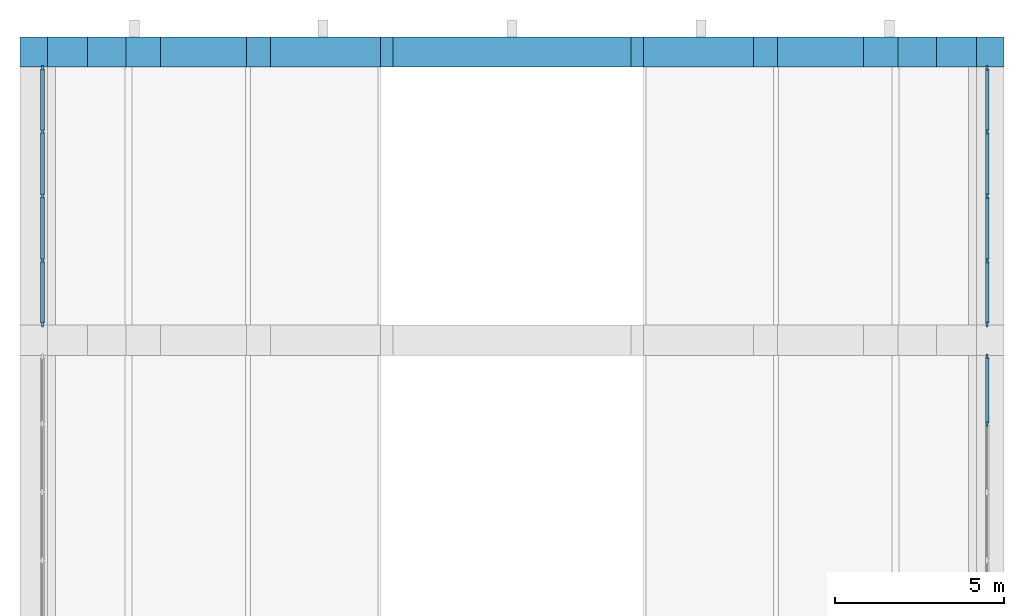
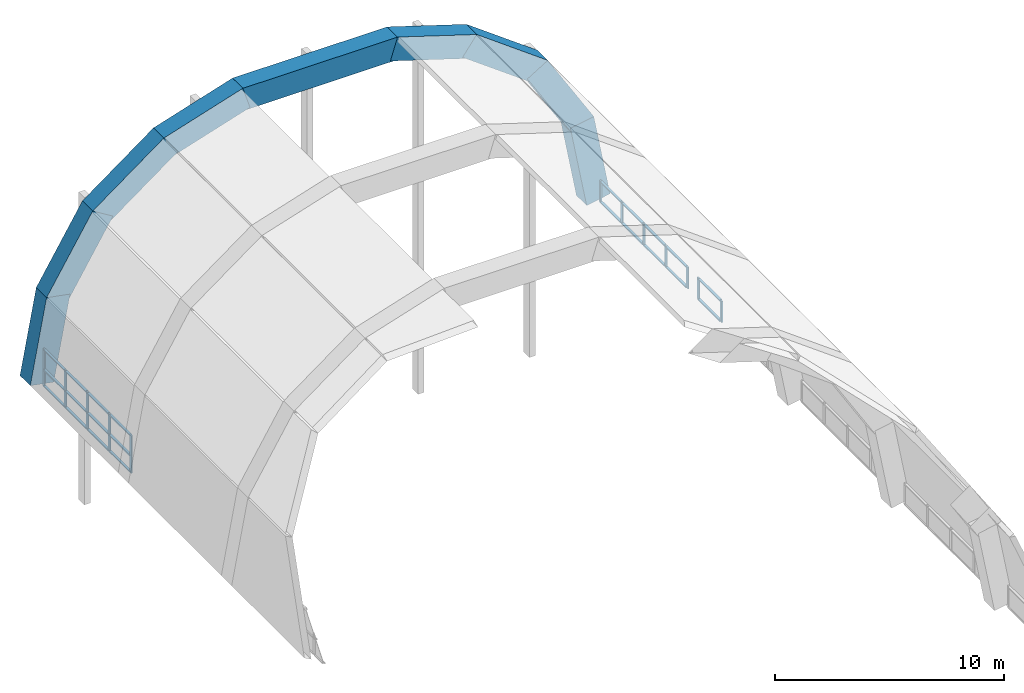
# One storey, part 5 of 8: 34 members, 9 beams, 3 elements without a shape of their own.
"""IFC4 building model written with IfcOpenShell, lengths in metres."""

from ifc_helpers import new_model, si_unit, direction, frame, origin, origin_2d, place, context, subcontext, project, spatial, rectangle, extrude, material, material_profile, profile_set, type_object, element, aggregate, save


model = new_model("IFC4")

# Units and contexts
model_context = context("Model", 3, precision=1e-05, world=origin(), true_north=direction((0.0, 1.0)))
body_context = subcontext(model_context, "Body", "Model", "MODEL_VIEW")
ifc_project = project(units=[si_unit("LENGTHUNIT", "METRE"), si_unit("AREAUNIT", "SQUARE_METRE"), si_unit("VOLUMEUNIT", "CUBIC_METRE"), si_unit("PLANEANGLEUNIT", "RADIAN"), si_unit("MASSUNIT", "GRAM", prefix="KILO")], contexts=[model_context])

# Site, building, storey
site_placement = place(None, origin())
site = spatial("IfcSite", under=ifc_project, at=site_placement, CompositionType="ELEMENT")
building_placement = place(site_placement, origin())
building = spatial("IfcBuilding", under=site, at=building_placement, Name="Elmora Arch Market Hall", CompositionType="ELEMENT")
storey_placement = place(building_placement, frame((0.0, 0.0, 18.60009765625)))
storey = spatial("IfcBuildingStorey", under=building, at=storey_placement, Name="Roof", CompositionType="ELEMENT", Elevation=18.60009765625)

# Beams
ifc_material_1 = material(Name="Concrete C40/50", Category="concrete")
ifc_material_profile_1 = material_profile(ifc_material_1, rectangle(XDim=0.89990234375, YDim=1.199951171875, at=origin_2d()), Name="Arch rib")
ifc_profile_set_1 = profile_set([ifc_material_profile_1], Name="Concrete C40/50")
beam_type = type_object("IfcBeamType", Name="Arch rib", PredefinedType="BEAM", material=ifc_profile_set_1)
beam_1_placement = place(storey_placement, frame((15.0, 98.550048828125, 0.10986328125), z_axis=(0.18332979563, 0.0, 0.983051466625), x_axis=(0.0, 1.0, 0.0)))
element("IfcBeam", 1, at=beam_1_placement, inside=storey, type_object=beam_type, Name="Arch rib 09 segment 1", PredefinedType="BEAM", context=body_context, shape_type="SweptSolid", body=[
    extrude(rectangle(XDim=0.89990234375, YDim=1.199951171875, at=origin_2d()), origin(), (0.0, 0.0, 1.0), 4.474609375),
])
beam_2_placement = place(storey_placement, frame((15.742431640625, 98.550048828125, 4.3056640625), z_axis=(0.52144556852, 0.0, 0.85328454754), x_axis=(0.0, 1.0, 0.0)))
element("IfcBeam", 2, at=beam_2_placement, inside=storey, type_object=beam_type, Name="Arch rib 09 segment 2", PredefinedType="BEAM", context=body_context, shape_type="SweptSolid", body=[
    extrude(rectangle(XDim=0.89990234375, YDim=1.199951171875, at=origin_2d()), origin(), (0.0, 0.0, 1.0), 4.447509765625),
])
beam_3_placement = place(storey_placement, frame((17.905029296875, 98.550048828125, 7.929931640625), z_axis=(0.805622437168, 0.0, 0.592429311168), x_axis=(0.0, 1.0, 0.0)))
element("IfcBeam", 3, at=beam_3_placement, inside=storey, type_object=beam_type, Name="Arch rib 09 segment 3", PredefinedType="BEAM", context=body_context, shape_type="SweptSolid", body=[
    extrude(rectangle(XDim=0.89990234375, YDim=1.199951171875, at=origin_2d()), origin(), (0.0, 0.0, 1.0), 4.4375),
])
beam_4_placement = place(storey_placement, frame((21.30517578125, 98.550048828125, 10.469970703125), z_axis=(0.953579131472, 0.0, 0.30114255764), x_axis=(0.0, 1.0, 0.0)))
element("IfcBeam", 4, at=beam_4_placement, inside=storey, type_object=beam_type, Name="Arch rib 09 segment 4", PredefinedType="BEAM", context=body_context, shape_type="SweptSolid", body=[
    extrude(rectangle(XDim=0.89990234375, YDim=1.199951171875, at=origin_2d()), origin(), (0.0, 0.0, 1.0), 4.1767578125),
])
beam_5_placement = place(storey_placement, frame((25.107421875, 98.550048828125, 11.699951171875), z_axis=(1.0, 0.0, 0.0), x_axis=(0.0, 1.0, 0.0)))
element("IfcBeam", 5, at=beam_5_placement, inside=storey, type_object=beam_type, Name="Arch rib 09 segment 5", PredefinedType="BEAM", context=body_context, shape_type="SweptSolid", body=[
    extrude(rectangle(XDim=0.89990234375, YDim=1.199951171875, at=origin_2d()), origin(), (0.0, 0.0, 1.0), 7.78515625),
])
beam_6_placement = place(storey_placement, frame((32.7119140625, 98.550048828125, 11.727783203125), z_axis=(0.953579131472, 0.0, -0.30114255764), x_axis=(0.0, 1.0, 0.0)))
element("IfcBeam", 6, at=beam_6_placement, inside=storey, type_object=beam_type, Name="Arch rib 09 segment 6", PredefinedType="BEAM", context=body_context, shape_type="SweptSolid", body=[
    extrude(rectangle(XDim=0.89990234375, YDim=1.199951171875, at=origin_2d()), origin(), (0.0, 0.0, 1.0), 4.1767578125),
])
beam_7_placement = place(storey_placement, frame((36.52001953125, 98.550048828125, 10.558837890625), z_axis=(0.805622437168, 0.0, -0.592429311168), x_axis=(0.0, 1.0, 0.0)))
element("IfcBeam", 7, at=beam_7_placement, inside=storey, type_object=beam_type, Name="Arch rib 09 segment 7", PredefinedType="BEAM", context=body_context, shape_type="SweptSolid", body=[
    extrude(rectangle(XDim=0.89990234375, YDim=1.199951171875, at=origin_2d()), origin(), (0.0, 0.0, 1.0), 4.4375),
])
beam_8_placement = place(storey_placement, frame((39.9384765625, 98.550048828125, 8.1005859375), z_axis=(0.52144556852, 0.0, -0.85328454754), x_axis=(0.0, 1.0, 0.0)))
element("IfcBeam", 8, at=beam_8_placement, inside=storey, type_object=beam_type, Name="Arch rib 09 segment 8", PredefinedType="BEAM", context=body_context, shape_type="SweptSolid", body=[
    extrude(rectangle(XDim=0.89990234375, YDim=1.199951171875, at=origin_2d()), origin(), (0.0, 0.0, 1.0), 4.447509765625),
])
beam_9_placement = place(storey_placement, frame((42.1796875, 98.550048828125, 4.508544921875), z_axis=(0.18332979563, 0.0, -0.983051466625), x_axis=(0.0, 1.0, 0.0)))
element("IfcBeam", 9, at=beam_9_placement, inside=storey, type_object=beam_type, Name="Arch rib 09 segment 9", PredefinedType="BEAM", context=body_context, shape_type="SweptSolid", body=[
    extrude(rectangle(XDim=0.89990234375, YDim=1.199951171875, at=origin_2d()), origin(), (0.0, 0.0, 1.0), 4.474609375),
])

# Curtain wall, members
ifc_material_2 = material(Name="Aluminium", Category="aluminium")
curtain_wall_type = type_object("IfcCurtainWallType", Name="Clerestory curtain wall", PredefinedType="NOTDEFINED", material=ifc_material_2)
curtain_wall_1_placement = place(storey_placement, origin())
curtain_wall_1 = element("IfcCurtainWall", 10, at=curtain_wall_1_placement, inside=storey, type_object=curtain_wall_type, Name="Hall clerestory W 8", PredefinedType="NOTDEFINED")
ifc_material_3 = material(Name="Aluminium", Category="aluminium")
ifc_material_profile_2 = material_profile(ifc_material_3, rectangle(XDim=0.06005859375, YDim=0.159912109375, at=origin_2d()), Name="AL 60x160")
ifc_profile_set_2 = profile_set([ifc_material_profile_2], Name="Aluminium")
member_type_1 = type_object("IfcMemberType", Name="Mullion 60x160", PredefinedType="MULLION", material=ifc_profile_set_2)
member_1_placement = place(storey_placement, frame((15.080078125, 90.47998046875, 0.0), z_axis=(0.0, 0.0, 1.0), x_axis=(-1.0, 0.0, 0.0)))
member_1 = element("IfcMember", 11, at=member_1_placement, type_object=member_type_1, Name="CW4 mullion 1", PredefinedType="MULLION", context=body_context, shape_type="SweptSolid", body=[
    extrude(rectangle(XDim=0.06005859375, YDim=0.159912109375, at=origin_2d()), origin(), (0.0, 0.0, 1.0), 1.9990234375),
])
member_2_placement = place(storey_placement, frame((15.080078125, 92.362548828125, 0.0), z_axis=(0.0, 0.0, 1.0), x_axis=(-1.0, 0.0, 0.0)))
member_2 = element("IfcMember", 12, at=member_2_placement, type_object=member_type_1, Name="CW4 mullion 2", PredefinedType="MULLION", context=body_context, shape_type="SweptSolid", body=[
    extrude(rectangle(XDim=0.06005859375, YDim=0.159912109375, at=origin_2d()), origin(), (0.0, 0.0, 1.0), 1.9990234375),
])
member_3_placement = place(storey_placement, frame((15.080078125, 94.27490234375, 0.0), z_axis=(0.0, 0.0, 1.0), x_axis=(-1.0, 0.0, 0.0)))
member_3 = element("IfcMember", 13, at=member_3_placement, type_object=member_type_1, Name="CW4 mullion 3", PredefinedType="MULLION", context=body_context, shape_type="SweptSolid", body=[
    extrude(rectangle(XDim=0.06005859375, YDim=0.159912109375, at=origin_2d()), origin(), (0.0, 0.0, 1.0), 1.9990234375),
])
member_4_placement = place(storey_placement, frame((15.080078125, 96.1875, 0.0), z_axis=(0.0, 0.0, 1.0), x_axis=(-1.0, 0.0, 0.0)))
member_4 = element("IfcMember", 14, at=member_4_placement, type_object=member_type_1, Name="CW4 mullion 4", PredefinedType="MULLION", context=body_context, shape_type="SweptSolid", body=[
    extrude(rectangle(XDim=0.06005859375, YDim=0.159912109375, at=origin_2d()), origin(), (0.0, 0.0, 1.0), 1.9990234375),
])
member_5_placement = place(storey_placement, frame((15.080078125, 98.070068359375, 0.0), z_axis=(0.0, 0.0, 1.0), x_axis=(-1.0, 0.0, 0.0)))
member_5 = element("IfcMember", 15, at=member_5_placement, type_object=member_type_1, Name="CW4 mullion 5", PredefinedType="MULLION", context=body_context, shape_type="SweptSolid", body=[
    extrude(rectangle(XDim=0.06005859375, YDim=0.159912109375, at=origin_2d()), origin(), (0.0, 0.0, 1.0), 1.9990234375),
])

curtain_wall_2_placement = place(storey_placement, origin())
curtain_wall_2 = element("IfcCurtainWall", 16, at=curtain_wall_2_placement, inside=storey, type_object=curtain_wall_type, Name="Hall clerestory E 7", PredefinedType="NOTDEFINED")
member_6_placement = place(storey_placement, frame((43.080078125, 87.52490234375, 0.0), z_axis=(0.0, 0.0, 1.0), x_axis=(-1.0, 0.0, 0.0)))
member_6 = element("IfcMember", 17, at=member_6_placement, type_object=member_type_1, Name="CW4 mullion 4", PredefinedType="MULLION", context=body_context, shape_type="SweptSolid", body=[
    extrude(rectangle(XDim=0.06005859375, YDim=0.159912109375, at=origin_2d()), origin(), (0.0, 0.0, 1.0), 1.140869140625),
])
member_7_placement = place(storey_placement, frame((43.080078125, 89.52001953125, 0.0), z_axis=(0.0, 0.0, 1.0), x_axis=(-1.0, 0.0, 0.0)))
member_7 = element("IfcMember", 18, at=member_7_placement, type_object=member_type_1, Name="CW4 mullion 5", PredefinedType="MULLION", context=body_context, shape_type="SweptSolid", body=[
    extrude(rectangle(XDim=0.06005859375, YDim=0.159912109375, at=origin_2d()), origin(), (0.0, 0.0, 1.0), 1.140869140625),
])

curtain_wall_3_placement = place(storey_placement, origin())
curtain_wall_3 = element("IfcCurtainWall", 19, at=curtain_wall_3_placement, inside=storey, type_object=curtain_wall_type, Name="Hall clerestory E 8", PredefinedType="NOTDEFINED")
member_8_placement = place(storey_placement, frame((43.080078125, 90.47998046875, 0.0), z_axis=(0.0, 0.0, 1.0), x_axis=(-1.0, 0.0, 0.0)))
member_8 = element("IfcMember", 20, at=member_8_placement, type_object=member_type_1, Name="CW4 mullion 1", PredefinedType="MULLION", context=body_context, shape_type="SweptSolid", body=[
    extrude(rectangle(XDim=0.06005859375, YDim=0.159912109375, at=origin_2d()), origin(), (0.0, 0.0, 1.0), 1.140869140625),
])
member_9_placement = place(storey_placement, frame((43.080078125, 92.362548828125, 0.0), z_axis=(0.0, 0.0, 1.0), x_axis=(-1.0, 0.0, 0.0)))
member_9 = element("IfcMember", 21, at=member_9_placement, type_object=member_type_1, Name="CW4 mullion 2", PredefinedType="MULLION", context=body_context, shape_type="SweptSolid", body=[
    extrude(rectangle(XDim=0.06005859375, YDim=0.159912109375, at=origin_2d()), origin(), (0.0, 0.0, 1.0), 1.140869140625),
])
member_10_placement = place(storey_placement, frame((43.080078125, 94.27490234375, 0.0), z_axis=(0.0, 0.0, 1.0), x_axis=(-1.0, 0.0, 0.0)))
member_10 = element("IfcMember", 22, at=member_10_placement, type_object=member_type_1, Name="CW4 mullion 3", PredefinedType="MULLION", context=body_context, shape_type="SweptSolid", body=[
    extrude(rectangle(XDim=0.06005859375, YDim=0.159912109375, at=origin_2d()), origin(), (0.0, 0.0, 1.0), 1.140869140625),
])
member_11_placement = place(storey_placement, frame((43.080078125, 96.1875, 0.0), z_axis=(0.0, 0.0, 1.0), x_axis=(-1.0, 0.0, 0.0)))
member_11 = element("IfcMember", 23, at=member_11_placement, type_object=member_type_1, Name="CW4 mullion 4", PredefinedType="MULLION", context=body_context, shape_type="SweptSolid", body=[
    extrude(rectangle(XDim=0.06005859375, YDim=0.159912109375, at=origin_2d()), origin(), (0.0, 0.0, 1.0), 1.140869140625),
])
member_12_placement = place(storey_placement, frame((43.080078125, 98.070068359375, 0.0), z_axis=(0.0, 0.0, 1.0), x_axis=(-1.0, 0.0, 0.0)))
member_12 = element("IfcMember", 24, at=member_12_placement, type_object=member_type_1, Name="CW4 mullion 5", PredefinedType="MULLION", context=body_context, shape_type="SweptSolid", body=[
    extrude(rectangle(XDim=0.06005859375, YDim=0.159912109375, at=origin_2d()), origin(), (0.0, 0.0, 1.0), 1.140869140625),
])

# Member
ifc_material_4 = material(Name="Aluminium", Category="aluminium")
ifc_material_profile_3 = material_profile(ifc_material_4, rectangle(XDim=0.1201171875, YDim=0.06005859375, at=origin_2d()), Name="AL 120x60")
ifc_profile_set_3 = profile_set([ifc_material_profile_3], Name="Aluminium")
member_type_2 = type_object("IfcMemberType", Name="Transom 120x60", PredefinedType="USERDEFINED", material=ifc_profile_set_3)
member_13_placement = place(storey_placement, frame((15.080078125, 90.510009765625, 0.02978515625), z_axis=(0.0, 1.0, 0.0), x_axis=(-1.0, 0.0, 0.0)))
member_13 = element("IfcMember", 25, at=member_13_placement, type_object=member_type_2, Name="CW4 transom 1.1", ObjectType="TRANSOM", PredefinedType="USERDEFINED", context=body_context, shape_type="SweptSolid", body=[
    extrude(rectangle(XDim=0.1201171875, YDim=0.06005859375, at=origin_2d()), origin(), (0.0, 0.0, 1.0), 1.822509765625),
])

member_14_placement = place(storey_placement, frame((15.080078125, 90.510009765625, 0.89990234375), z_axis=(0.0, 1.0, 0.0), x_axis=(-1.0, 0.0, 0.0)))
member_14 = element("IfcMember", 26, at=member_14_placement, type_object=member_type_2, Name="CW4 transom 1.2", ObjectType="TRANSOM", PredefinedType="USERDEFINED", context=body_context, shape_type="SweptSolid", body=[
    extrude(rectangle(XDim=0.1201171875, YDim=0.06005859375, at=origin_2d()), origin(), (0.0, 0.0, 1.0), 1.822509765625),
])

member_15_placement = place(storey_placement, frame((15.080078125, 90.510009765625, 1.968994140625), z_axis=(0.0, 1.0, 0.0), x_axis=(-1.0, 0.0, 0.0)))
member_15 = element("IfcMember", 27, at=member_15_placement, type_object=member_type_2, Name="CW4 transom 1.3", ObjectType="TRANSOM", PredefinedType="USERDEFINED", context=body_context, shape_type="SweptSolid", body=[
    extrude(rectangle(XDim=0.1201171875, YDim=0.06005859375, at=origin_2d()), origin(), (0.0, 0.0, 1.0), 1.822509765625),
])

member_16_placement = place(storey_placement, frame((15.080078125, 92.392578125, 0.02978515625), z_axis=(0.0, 1.0, 0.0), x_axis=(-1.0, 0.0, 0.0)))
member_16 = element("IfcMember", 28, at=member_16_placement, type_object=member_type_2, Name="CW4 transom 2.1", ObjectType="TRANSOM", PredefinedType="USERDEFINED", context=body_context, shape_type="SweptSolid", body=[
    extrude(rectangle(XDim=0.1201171875, YDim=0.06005859375, at=origin_2d()), origin(), (0.0, 0.0, 1.0), 1.8525390625),
])

member_17_placement = place(storey_placement, frame((15.080078125, 92.392578125, 0.89990234375), z_axis=(0.0, 1.0, 0.0), x_axis=(-1.0, 0.0, 0.0)))
member_17 = element("IfcMember", 29, at=member_17_placement, type_object=member_type_2, Name="CW4 transom 2.2", ObjectType="TRANSOM", PredefinedType="USERDEFINED", context=body_context, shape_type="SweptSolid", body=[
    extrude(rectangle(XDim=0.1201171875, YDim=0.06005859375, at=origin_2d()), origin(), (0.0, 0.0, 1.0), 1.8525390625),
])

member_18_placement = place(storey_placement, frame((15.080078125, 92.392578125, 1.968994140625), z_axis=(0.0, 1.0, 0.0), x_axis=(-1.0, 0.0, 0.0)))
member_18 = element("IfcMember", 30, at=member_18_placement, type_object=member_type_2, Name="CW4 transom 2.3", ObjectType="TRANSOM", PredefinedType="USERDEFINED", context=body_context, shape_type="SweptSolid", body=[
    extrude(rectangle(XDim=0.1201171875, YDim=0.06005859375, at=origin_2d()), origin(), (0.0, 0.0, 1.0), 1.8525390625),
])

member_19_placement = place(storey_placement, frame((15.080078125, 94.304931640625, 0.02978515625), z_axis=(0.0, 1.0, 0.0), x_axis=(-1.0, 0.0, 0.0)))
member_19 = element("IfcMember", 31, at=member_19_placement, type_object=member_type_2, Name="CW4 transom 3.1", ObjectType="TRANSOM", PredefinedType="USERDEFINED", context=body_context, shape_type="SweptSolid", body=[
    extrude(rectangle(XDim=0.1201171875, YDim=0.06005859375, at=origin_2d()), origin(), (0.0, 0.0, 1.0), 1.8525390625),
])

member_20_placement = place(storey_placement, frame((15.080078125, 94.304931640625, 0.89990234375), z_axis=(0.0, 1.0, 0.0), x_axis=(-1.0, 0.0, 0.0)))
member_20 = element("IfcMember", 32, at=member_20_placement, type_object=member_type_2, Name="CW4 transom 3.2", ObjectType="TRANSOM", PredefinedType="USERDEFINED", context=body_context, shape_type="SweptSolid", body=[
    extrude(rectangle(XDim=0.1201171875, YDim=0.06005859375, at=origin_2d()), origin(), (0.0, 0.0, 1.0), 1.8525390625),
])

member_21_placement = place(storey_placement, frame((15.080078125, 94.304931640625, 1.968994140625), z_axis=(0.0, 1.0, 0.0), x_axis=(-1.0, 0.0, 0.0)))
member_21 = element("IfcMember", 33, at=member_21_placement, type_object=member_type_2, Name="CW4 transom 3.3", ObjectType="TRANSOM", PredefinedType="USERDEFINED", context=body_context, shape_type="SweptSolid", body=[
    extrude(rectangle(XDim=0.1201171875, YDim=0.06005859375, at=origin_2d()), origin(), (0.0, 0.0, 1.0), 1.8525390625),
])

member_22_placement = place(storey_placement, frame((15.080078125, 96.217529296875, 0.02978515625), z_axis=(0.0, 1.0, 0.0), x_axis=(-1.0, 0.0, 0.0)))
member_22 = element("IfcMember", 34, at=member_22_placement, type_object=member_type_2, Name="CW4 transom 4.1", ObjectType="TRANSOM", PredefinedType="USERDEFINED", context=body_context, shape_type="SweptSolid", body=[
    extrude(rectangle(XDim=0.1201171875, YDim=0.06005859375, at=origin_2d()), origin(), (0.0, 0.0, 1.0), 1.822509765625),
])

member_23_placement = place(storey_placement, frame((15.080078125, 96.217529296875, 0.89990234375), z_axis=(0.0, 1.0, 0.0), x_axis=(-1.0, 0.0, 0.0)))
member_23 = element("IfcMember", 35, at=member_23_placement, type_object=member_type_2, Name="CW4 transom 4.2", ObjectType="TRANSOM", PredefinedType="USERDEFINED", context=body_context, shape_type="SweptSolid", body=[
    extrude(rectangle(XDim=0.1201171875, YDim=0.06005859375, at=origin_2d()), origin(), (0.0, 0.0, 1.0), 1.822509765625),
])

member_24_placement = place(storey_placement, frame((15.080078125, 96.217529296875, 1.968994140625), z_axis=(0.0, 1.0, 0.0), x_axis=(-1.0, 0.0, 0.0)))
member_24 = element("IfcMember", 36, at=member_24_placement, type_object=member_type_2, Name="CW4 transom 4.3", ObjectType="TRANSOM", PredefinedType="USERDEFINED", context=body_context, shape_type="SweptSolid", body=[
    extrude(rectangle(XDim=0.1201171875, YDim=0.06005859375, at=origin_2d()), origin(), (0.0, 0.0, 1.0), 1.822509765625),
])

aggregate(curtain_wall_1, [member_1, member_2, member_3, member_4, member_5, member_13, member_14, member_15, member_16, member_17, member_18, member_19, member_20, member_21, member_22, member_23, member_24])

member_25_placement = place(storey_placement, frame((43.080078125, 87.554931640625, 0.02978515625), z_axis=(0.0, 1.0, 0.0), x_axis=(-1.0, 0.0, 0.0)))
member_25 = element("IfcMember", 37, at=member_25_placement, type_object=member_type_2, Name="CW4 transom 4.1", ObjectType="TRANSOM", PredefinedType="USERDEFINED", context=body_context, shape_type="SweptSolid", body=[
    extrude(rectangle(XDim=0.1201171875, YDim=0.06005859375, at=origin_2d()), origin(), (0.0, 0.0, 1.0), 1.93505859375),
])

member_26_placement = place(storey_placement, frame((43.080078125, 87.554931640625, 1.11083984375), z_axis=(0.0, 1.0, 0.0), x_axis=(-1.0, 0.0, 0.0)))
member_26 = element("IfcMember", 38, at=member_26_placement, type_object=member_type_2, Name="CW4 transom 4.2", ObjectType="TRANSOM", PredefinedType="USERDEFINED", context=body_context, shape_type="SweptSolid", body=[
    extrude(rectangle(XDim=0.1201171875, YDim=0.06005859375, at=origin_2d()), origin(), (0.0, 0.0, 1.0), 1.93505859375),
])

aggregate(curtain_wall_2, [member_6, member_7, member_25, member_26])

member_27_placement = place(storey_placement, frame((43.080078125, 90.510009765625, 0.02978515625), z_axis=(0.0, 1.0, 0.0), x_axis=(-1.0, 0.0, 0.0)))
member_27 = element("IfcMember", 39, at=member_27_placement, type_object=member_type_2, Name="CW4 transom 1.1", ObjectType="TRANSOM", PredefinedType="USERDEFINED", context=body_context, shape_type="SweptSolid", body=[
    extrude(rectangle(XDim=0.1201171875, YDim=0.06005859375, at=origin_2d()), origin(), (0.0, 0.0, 1.0), 1.822509765625),
])

member_28_placement = place(storey_placement, frame((43.080078125, 90.510009765625, 1.11083984375), z_axis=(0.0, 1.0, 0.0), x_axis=(-1.0, 0.0, 0.0)))
member_28 = element("IfcMember", 40, at=member_28_placement, type_object=member_type_2, Name="CW4 transom 1.2", ObjectType="TRANSOM", PredefinedType="USERDEFINED", context=body_context, shape_type="SweptSolid", body=[
    extrude(rectangle(XDim=0.1201171875, YDim=0.06005859375, at=origin_2d()), origin(), (0.0, 0.0, 1.0), 1.822509765625),
])

member_29_placement = place(storey_placement, frame((43.080078125, 92.392578125, 0.02978515625), z_axis=(0.0, 1.0, 0.0), x_axis=(-1.0, 0.0, 0.0)))
member_29 = element("IfcMember", 41, at=member_29_placement, type_object=member_type_2, Name="CW4 transom 2.1", ObjectType="TRANSOM", PredefinedType="USERDEFINED", context=body_context, shape_type="SweptSolid", body=[
    extrude(rectangle(XDim=0.1201171875, YDim=0.06005859375, at=origin_2d()), origin(), (0.0, 0.0, 1.0), 1.8525390625),
])

member_30_placement = place(storey_placement, frame((43.080078125, 92.392578125, 1.11083984375), z_axis=(0.0, 1.0, 0.0), x_axis=(-1.0, 0.0, 0.0)))
member_30 = element("IfcMember", 42, at=member_30_placement, type_object=member_type_2, Name="CW4 transom 2.2", ObjectType="TRANSOM", PredefinedType="USERDEFINED", context=body_context, shape_type="SweptSolid", body=[
    extrude(rectangle(XDim=0.1201171875, YDim=0.06005859375, at=origin_2d()), origin(), (0.0, 0.0, 1.0), 1.8525390625),
])

member_31_placement = place(storey_placement, frame((43.080078125, 94.304931640625, 0.02978515625), z_axis=(0.0, 1.0, 0.0), x_axis=(-1.0, 0.0, 0.0)))
member_31 = element("IfcMember", 43, at=member_31_placement, type_object=member_type_2, Name="CW4 transom 3.1", ObjectType="TRANSOM", PredefinedType="USERDEFINED", context=body_context, shape_type="SweptSolid", body=[
    extrude(rectangle(XDim=0.1201171875, YDim=0.06005859375, at=origin_2d()), origin(), (0.0, 0.0, 1.0), 1.8525390625),
])

member_32_placement = place(storey_placement, frame((43.080078125, 94.304931640625, 1.11083984375), z_axis=(0.0, 1.0, 0.0), x_axis=(-1.0, 0.0, 0.0)))
member_32 = element("IfcMember", 44, at=member_32_placement, type_object=member_type_2, Name="CW4 transom 3.2", ObjectType="TRANSOM", PredefinedType="USERDEFINED", context=body_context, shape_type="SweptSolid", body=[
    extrude(rectangle(XDim=0.1201171875, YDim=0.06005859375, at=origin_2d()), origin(), (0.0, 0.0, 1.0), 1.8525390625),
])

member_33_placement = place(storey_placement, frame((43.080078125, 96.217529296875, 0.02978515625), z_axis=(0.0, 1.0, 0.0), x_axis=(-1.0, 0.0, 0.0)))
member_33 = element("IfcMember", 45, at=member_33_placement, type_object=member_type_2, Name="CW4 transom 4.1", ObjectType="TRANSOM", PredefinedType="USERDEFINED", context=body_context, shape_type="SweptSolid", body=[
    extrude(rectangle(XDim=0.1201171875, YDim=0.06005859375, at=origin_2d()), origin(), (0.0, 0.0, 1.0), 1.822509765625),
])

member_34_placement = place(storey_placement, frame((43.080078125, 96.217529296875, 1.11083984375), z_axis=(0.0, 1.0, 0.0), x_axis=(-1.0, 0.0, 0.0)))
member_34 = element("IfcMember", 46, at=member_34_placement, type_object=member_type_2, Name="CW4 transom 4.2", ObjectType="TRANSOM", PredefinedType="USERDEFINED", context=body_context, shape_type="SweptSolid", body=[
    extrude(rectangle(XDim=0.1201171875, YDim=0.06005859375, at=origin_2d()), origin(), (0.0, 0.0, 1.0), 1.822509765625),
])

aggregate(curtain_wall_3, [member_8, member_9, member_10, member_11, member_12, member_27, member_28, member_29, member_30, member_31, member_32, member_33, member_34])

save(model, "model.ifc")
